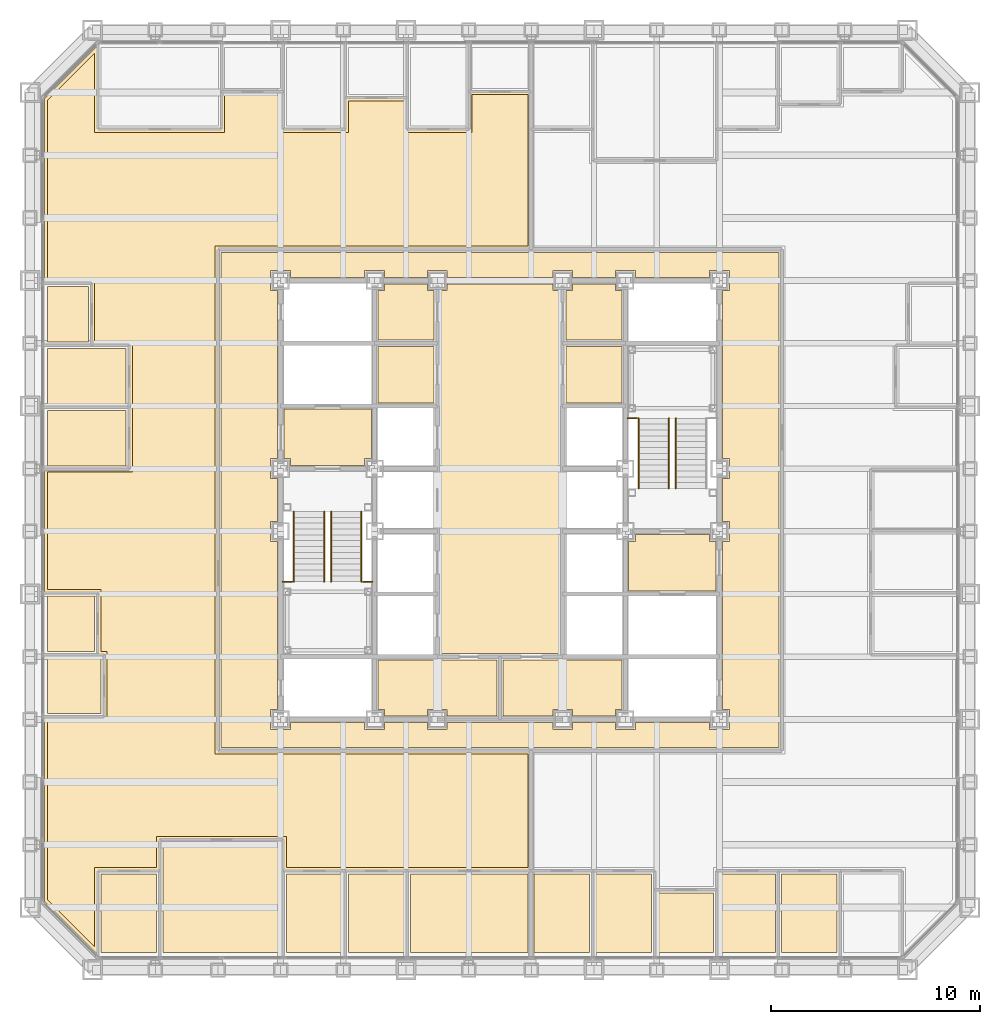
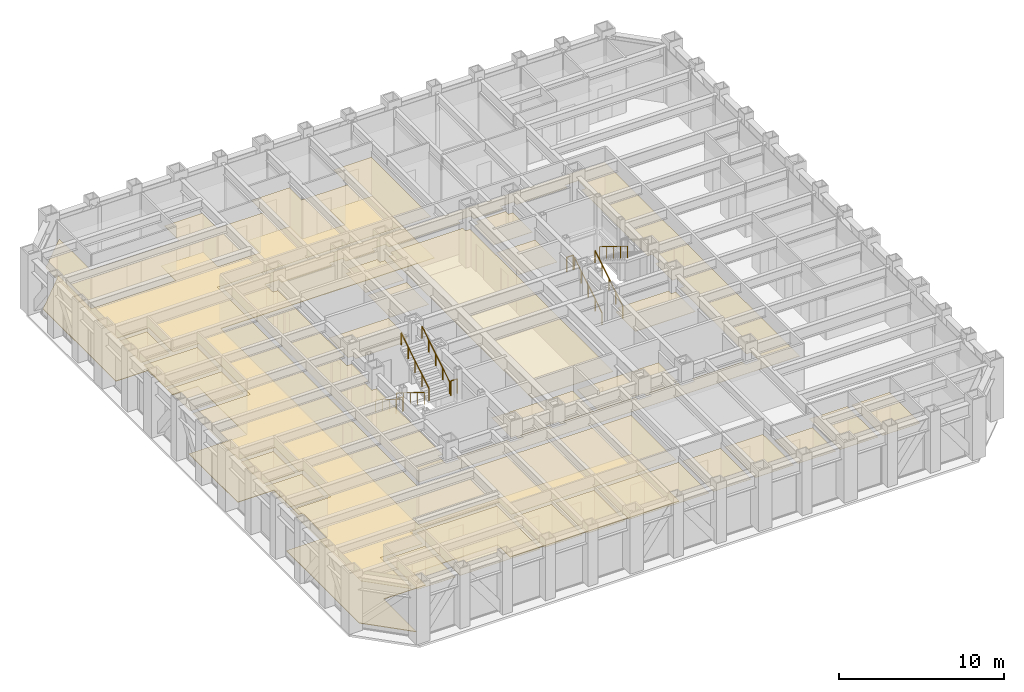
# One storey, part 14 of 16: 27 coverings, 10 railings.
"""IFC4 building model written with IfcOpenShell, lengths in metres."""

from ifc_helpers import new_model, si_unit, direction, frame, origin, origin_2d, place, context, subcontext, project, spatial, polyline, circle, outline, extrude, material, layer, layer_set, type_object, element, save


model = new_model("IFC4")

# Units and contexts
model_context = context("Model", 3, precision=1e-05, world=origin(), true_north=direction((0.0, 1.0)))
body_context = subcontext(model_context, "Body", "Model", "MODEL_VIEW")
ifc_project = project(units=[si_unit("LENGTHUNIT", "METRE"), si_unit("AREAUNIT", "SQUARE_METRE"), si_unit("VOLUMEUNIT", "CUBIC_METRE"), si_unit("PLANEANGLEUNIT", "RADIAN"), si_unit("MASSUNIT", "GRAM", prefix="KILO")], contexts=[model_context])

# Site, building, storey
site_placement = place(None, origin())
site = spatial("IfcSite", under=ifc_project, at=site_placement, CompositionType="ELEMENT")
building_placement = place(site_placement, origin())
building = spatial("IfcBuilding", under=site, at=building_placement, Name="Chuquiago Exchange Tower", CompositionType="ELEMENT")
storey_placement = place(building_placement, frame((0.0, 0.0, 55.800048828125)))
storey = spatial("IfcBuildingStorey", under=building, at=storey_placement, Name="L11", CompositionType="ELEMENT", Elevation=55.800048828125)

# Coverings
ifc_material_1 = material(Name="Mineral fibre tile, 600 x 600, on pale metal grid", Category="mineral fibre")
ifc_layer_1 = layer(ifc_material_1, 0.02001953125)
ifc_layer_set_1 = layer_set([ifc_layer_1], Name="CL1 suspended tile ceiling 20")
covering_type_1 = type_object("IfcCoveringType", Name="CL1 suspended tile ceiling 20", PredefinedType="CEILING", material=ifc_layer_set_1)
covering_1_placement = place(storey_placement, frame((0.0, 0.0, 3.0)))
element("IfcCovering", 1, at=covering_1_placement, inside=storey, type_object=covering_type_1, Name="Ceiling Trading support room", PredefinedType="CEILING", context=body_context, shape_type="SweptSolid", body=[
    extrude(outline(polyline([(3.3984375, 4.60009765625), (6.060302734375, 4.60009765625), (6.060302734375, 0.85009765625), (3.3984375, 0.85009765625), (3.3984375, 4.60009765625)])), origin(), (0.0, 0.0, 1.0), 0.02001953125),
])
covering_2_placement = place(storey_placement, frame((0.0, 0.0, 3.0)))
element("IfcCovering", 2, at=covering_2_placement, inside=storey, type_object=covering_type_1, Name="Ceiling Market data room", PredefinedType="CEILING", context=body_context, shape_type="SweptSolid", body=[
    extrude(outline(polyline([(6.3603515625, 6.10009765625), (11.98388671875, 6.10009765625), (11.98388671875, 0.85009765625), (6.3603515625, 0.85009765625), (6.3603515625, 6.10009765625)])), origin(), (0.0, 0.0, 1.0), 0.02001953125),
])
covering_3_placement = place(storey_placement, frame((0.0, 0.0, 3.0)))
element("IfcCovering", 3, at=covering_3_placement, inside=storey, type_object=covering_type_1, Name="Ceiling Office", PredefinedType="CEILING", context=body_context, shape_type="SweptSolid", body=[
    extrude(outline(polyline([(12.28369140625, 4.60009765625), (14.945556640625, 4.60009765625), (14.945556640625, 0.85009765625), (12.28369140625, 0.85009765625), (12.28369140625, 4.60009765625)])), origin(), (0.0, 0.0, 1.0), 0.02001953125),
])
covering_4_placement = place(storey_placement, frame((0.0, 0.0, 3.0)))
element("IfcCovering", 4, at=covering_4_placement, inside=storey, type_object=covering_type_1, Name="Ceiling Office", PredefinedType="CEILING", context=body_context, shape_type="SweptSolid", body=[
    extrude(outline(polyline([(15.24560546875, 4.60009765625), (17.907470703125, 4.60009765625), (17.907470703125, 0.85009765625), (15.24560546875, 0.85009765625), (15.24560546875, 4.60009765625)])), origin(), (0.0, 0.0, 1.0), 0.02001953125),
])
covering_5_placement = place(storey_placement, frame((0.0, 0.0, 3.0)))
element("IfcCovering", 5, at=covering_5_placement, inside=storey, type_object=covering_type_1, Name="Ceiling Meeting room", PredefinedType="CEILING", context=body_context, shape_type="SweptSolid", body=[
    extrude(outline(polyline([(18.20751953125, 4.60009765625), (23.830810546875, 4.60009765625), (23.830810546875, 0.85009765625), (18.20751953125, 0.85009765625), (18.20751953125, 4.60009765625)])), origin(), (0.0, 0.0, 1.0), 0.02001953125),
])
covering_6_placement = place(storey_placement, frame((0.0, 0.0, 3.0)))
element("IfcCovering", 6, at=covering_6_placement, inside=storey, type_object=covering_type_1, Name="Ceiling Office", PredefinedType="CEILING", context=body_context, shape_type="SweptSolid", body=[
    extrude(outline(polyline([(24.130859375, 4.60009765625), (26.79248046875, 4.60009765625), (26.79248046875, 0.85009765625), (24.130859375, 0.85009765625), (24.130859375, 4.60009765625)])), origin(), (0.0, 0.0, 1.0), 0.02001953125),
])
covering_7_placement = place(storey_placement, frame((0.0, 0.0, 3.0)))
element("IfcCovering", 7, at=covering_7_placement, inside=storey, type_object=covering_type_1, Name="Ceiling Office", PredefinedType="CEILING", context=body_context, shape_type="SweptSolid", body=[
    extrude(outline(polyline([(27.092529296875, 4.60009765625), (29.75439453125, 4.60009765625), (29.75439453125, 0.85009765625), (27.092529296875, 0.85009765625), (27.092529296875, 4.60009765625)])), origin(), (0.0, 0.0, 1.0), 0.02001953125),
])
covering_8_placement = place(storey_placement, frame((0.0, 0.0, 3.0)))
element("IfcCovering", 8, at=covering_8_placement, inside=storey, type_object=covering_type_1, Name="Ceiling Comms room", PredefinedType="CEILING", context=body_context, shape_type="SweptSolid", body=[
    extrude(outline(polyline([(30.054443359375, 3.699951171875), (32.71630859375, 3.699951171875), (32.71630859375, 0.85009765625), (30.054443359375, 0.85009765625), (30.054443359375, 3.699951171875)])), origin(), (0.0, 0.0, 1.0), 0.02001953125),
])
covering_9_placement = place(storey_placement, frame((0.0, 0.0, 3.0)))
element("IfcCovering", 9, at=covering_9_placement, inside=storey, type_object=covering_type_1, Name="Ceiling Trading support room", PredefinedType="CEILING", context=body_context, shape_type="SweptSolid", body=[
    extrude(outline(polyline([(33.01611328125, 4.60009765625), (35.677978515625, 4.60009765625), (35.677978515625, 0.85009765625), (33.01611328125, 0.85009765625), (33.01611328125, 4.60009765625)])), origin(), (0.0, 0.0, 1.0), 0.02001953125),
])
covering_10_placement = place(storey_placement, frame((0.0, 0.0, 3.0)))
element("IfcCovering", 10, at=covering_10_placement, inside=storey, type_object=covering_type_1, Name="Ceiling Trading support room", PredefinedType="CEILING", context=body_context, shape_type="SweptSolid", body=[
    extrude(outline(polyline([(35.977783203125, 4.60009765625), (38.6396484375, 4.60009765625), (38.6396484375, 0.85009765625), (35.977783203125, 0.85009765625), (35.977783203125, 4.60009765625)])), origin(), (0.0, 0.0, 1.0), 0.02001953125),
])
covering_11_placement = place(storey_placement, frame((0.0, 0.0, 3.0)))
element("IfcCovering", 11, at=covering_11_placement, inside=storey, type_object=covering_type_1, Name="Ceiling Pantry", PredefinedType="CEILING", context=body_context, shape_type="SweptSolid", body=[
    extrude(outline(polyline([(3.39990234375, 14.945556640625), (3.39990234375, 12.28369140625), (0.85009765625, 12.28369140625), (0.85009765625, 14.945556640625), (3.39990234375, 14.945556640625)])), origin(), (0.0, 0.0, 1.0), 0.02001953125),
])
covering_12_placement = place(storey_placement, frame((0.0, 0.0, 3.0)))
element("IfcCovering", 12, at=covering_12_placement, inside=storey, type_object=covering_type_1, Name="Ceiling Store", PredefinedType="CEILING", context=body_context, shape_type="SweptSolid", body=[
    extrude(outline(polyline([(3.10009765625, 17.907470703125), (3.10009765625, 15.24560546875), (0.85009765625, 15.24560546875), (0.85009765625, 17.907470703125), (3.10009765625, 17.907470703125)])), origin(), (0.0, 0.0, 1.0), 0.02001953125),
])
covering_13_placement = place(storey_placement, frame((0.0, 0.0, 3.0)))
element("IfcCovering", 13, at=covering_13_placement, inside=storey, type_object=covering_type_1, Name="Ceiling Office", PredefinedType="CEILING", context=body_context, shape_type="SweptSolid", body=[
    extrude(outline(polyline([(4.60009765625, 26.79248046875), (4.60009765625, 24.130859375), (0.85009765625, 24.130859375), (0.85009765625, 26.79248046875), (4.60009765625, 26.79248046875)])), origin(), (0.0, 0.0, 1.0), 0.02001953125),
])
covering_14_placement = place(storey_placement, frame((0.0, 0.0, 3.0)))
element("IfcCovering", 14, at=covering_14_placement, inside=storey, type_object=covering_type_1, Name="Ceiling Office", PredefinedType="CEILING", context=body_context, shape_type="SweptSolid", body=[
    extrude(outline(polyline([(4.60009765625, 29.75439453125), (4.60009765625, 27.092529296875), (0.85009765625, 27.092529296875), (0.85009765625, 29.75439453125), (4.60009765625, 29.75439453125)])), origin(), (0.0, 0.0, 1.0), 0.02001953125),
])
covering_15_placement = place(storey_placement, frame((0.0, 0.0, 3.0)))
element("IfcCovering", 15, at=covering_15_placement, inside=storey, type_object=covering_type_1, Name="Ceiling Focus room", PredefinedType="CEILING", context=body_context, shape_type="SweptSolid", body=[
    extrude(outline(polyline([(2.800048828125, 32.71630859375), (2.800048828125, 30.054443359375), (0.85009765625, 30.054443359375), (0.85009765625, 32.71630859375), (2.800048828125, 32.71630859375)])), origin(), (0.0, 0.0, 1.0), 0.02001953125),
])
covering_16_placement = place(storey_placement, frame((0.0, 0.0, 3.0)))
element("IfcCovering", 16, at=covering_16_placement, inside=storey, type_object=covering_type_1, Name="Ceiling Trading floor west suite", PredefinedType="CEILING", context=body_context, shape_type="SweptSolid", body=[
    extrude(outline(polyline([(3.098388671875, 40.10009765625), (9.322021484375, 40.10009765625), (9.322021484375, 41.89990234375), (11.98388671875, 41.89990234375), (11.98388671875, 40.10009765625), (15.24560546875, 40.10009765625), (15.24560546875, 41.60009765625), (17.907470703125, 41.60009765625), (17.907470703125, 40.10009765625), (21.169189453125, 40.10009765625), (21.169189453125, 41.89990234375), (23.830322265625, 41.89990234375), (23.830322265625, 34.650390625), (8.849609375, 34.64990234375), (8.849609375, 10.349853515625), (23.830322265625, 10.349609375), (23.830322265625, 4.89990234375), (12.28369140625, 4.89990234375), (12.28369140625, 6.39990234375), (6.060302734375, 6.39990234375), (6.060302734375, 4.89990234375), (3.098388671875, 4.89990234375), (3.098388671875, 1.103515625), (0.85009765625, 3.35205078125), (0.85009765625, 11.98388671875), (3.699951171875, 11.98388671875), (3.699951171875, 15.24560546875), (3.39990234375, 15.24560546875), (3.39990234375, 18.20751953125), (0.85009765625, 18.20751953125), (0.85009765625, 23.830810546875), (4.89990234375, 23.830810546875), (4.89990234375, 30.054443359375), (3.10009765625, 30.054443359375), (3.10009765625, 33.01611328125), (0.85009765625, 33.01611328125), (0.85009765625, 41.64794921875), (3.098388671875, 43.896484375), (3.098388671875, 40.10009765625)])), origin(), (0.0, 0.0, 1.0), 0.02001953125),
])
covering_17_placement = place(storey_placement, frame((0.0, 0.0, 3.0)))
element("IfcCovering", 17, at=covering_17_placement, inside=storey, type_object=covering_type_1, Name="Ceiling Tenant corridor", PredefinedType="CEILING", context=body_context, shape_type="SweptSolid", body=[
    extrude(outline(polyline([(9.14990234375, 34.35009765625), (35.85009765625, 34.35009765625), (35.85009765625, 10.64990234375), (9.14990234375, 10.64990234375), (9.14990234375, 34.35009765625)]), holes=[polyline([(11.85009765625, 24.47509765625), (11.52490234375, 24.47509765625), (11.52490234375, 23.52490234375), (11.85009765625, 23.52490234375), (11.85009765625, 21.47509765625), (11.52490234375, 21.47509765625), (11.52490234375, 20.52490234375), (11.85009765625, 20.52490234375), (11.85009765625, 12.47509765625), (11.52490234375, 12.47509765625), (11.52490234375, 11.52490234375), (12.47509765625, 11.52490234375), (12.47509765625, 11.85009765625), (16.02490234375, 11.85009765625), (16.02490234375, 11.52490234375), (16.97509765625, 11.52490234375), (16.97509765625, 11.85009765625), (19.02490234375, 11.85009765625), (19.02490234375, 11.52490234375), (19.97509765625, 11.52490234375), (19.97509765625, 11.85009765625), (25.02490234375, 11.85009765625), (25.02490234375, 11.52490234375), (25.97509765625, 11.52490234375), (25.97509765625, 11.85009765625), (28.02490234375, 11.85009765625), (28.02490234375, 11.52490234375), (28.97509765625, 11.52490234375), (28.97509765625, 11.85009765625), (32.52490234375, 11.85009765625), (32.52490234375, 11.52490234375), (33.47509765625, 11.52490234375), (33.47509765625, 12.47509765625), (33.14990234375, 12.47509765625), (33.14990234375, 20.52490234375), (33.47509765625, 20.52490234375), (33.47509765625, 21.47509765625), (33.14990234375, 21.47509765625), (33.14990234375, 23.52490234375), (33.47509765625, 23.52490234375), (33.47509765625, 24.47509765625), (33.14990234375, 24.47509765625), (33.14990234375, 32.52490234375), (33.47509765625, 32.52490234375), (33.47509765625, 33.47509765625), (32.52490234375, 33.47509765625), (32.52490234375, 33.14990234375), (28.97509765625, 33.14990234375), (28.97509765625, 33.47509765625), (28.02490234375, 33.47509765625), (28.02490234375, 33.14990234375), (25.97509765625, 33.14990234375), (25.97509765625, 33.47509765625), (25.02490234375, 33.47509765625), (25.02490234375, 33.14990234375), (19.97509765625, 33.14990234375), (19.97509765625, 33.47509765625), (19.02490234375, 33.47509765625), (19.02490234375, 33.14990234375), (16.97509765625, 33.14990234375), (16.97509765625, 33.47509765625), (16.02490234375, 33.47509765625), (16.02490234375, 33.14990234375), (12.47509765625, 33.14990234375), (12.47509765625, 33.47509765625), (11.52490234375, 33.47509765625), (11.52490234375, 32.52490234375), (11.85009765625, 32.52490234375), (11.85009765625, 24.47509765625)])]), origin(), (0.0, 0.0, 1.0), 0.02001953125),
])
covering_18_placement = place(storey_placement, frame((0.0, 0.0, 3.0)))
element("IfcCovering", 18, at=covering_18_placement, inside=storey, type_object=covering_type_1, Name="Ceiling Baby change room", PredefinedType="CEILING", context=body_context, shape_type="SweptSolid", body=[
    extrude(outline(polyline([(25.64990234375, 30.14990234375), (25.64990234375, 32.52490234375), (25.97509765625, 32.52490234375), (25.97509765625, 32.85009765625), (28.02490234375, 32.85009765625), (28.02490234375, 32.52490234375), (28.35009765625, 32.52490234375), (28.35009765625, 30.14990234375), (25.64990234375, 30.14990234375)])), origin(), (0.0, 0.0, 1.0), 0.02001953125),
])
ifc_material_2 = material(Name="Moisture resistant plasterboard on metal frame", Category="gypsum")
ifc_layer_2 = layer(ifc_material_2, 0.014892578125)
ifc_layer_set_2 = layer_set([ifc_layer_2], Name="CL2 moisture resistant ceiling 15")
covering_type_2 = type_object("IfcCoveringType", Name="CL2 moisture resistant ceiling 15", PredefinedType="CEILING", material=ifc_layer_set_2)
covering_19_placement = place(storey_placement, frame((0.0, 0.0, 2.599853515625)))
element("IfcCovering", 19, at=covering_19_placement, inside=storey, type_object=covering_type_2, Name="Ceiling Male WC", PredefinedType="CEILING", context=body_context, shape_type="SweptSolid", body=[
    extrude(outline(polyline([(16.64990234375, 27.14990234375), (16.64990234375, 29.85009765625), (19.35009765625, 29.85009765625), (19.35009765625, 27.14990234375), (16.64990234375, 27.14990234375)])), origin(), (0.0, 0.0, 1.0), 0.01513671875),
])
covering_20_placement = place(storey_placement, frame((0.0, 0.0, 2.599853515625)))
element("IfcCovering", 20, at=covering_20_placement, inside=storey, type_object=covering_type_2, Name="Ceiling Staff shower room", PredefinedType="CEILING", context=body_context, shape_type="SweptSolid", body=[
    extrude(outline(polyline([(16.64990234375, 30.14990234375), (16.64990234375, 32.52490234375), (16.97509765625, 32.52490234375), (16.97509765625, 32.85009765625), (19.02490234375, 32.85009765625), (19.02490234375, 32.52490234375), (19.35009765625, 32.52490234375), (19.35009765625, 30.14990234375), (16.64990234375, 30.14990234375)])), origin(), (0.0, 0.0, 1.0), 0.01513671875),
])
covering_21_placement = place(storey_placement, frame((0.0, 0.0, 2.599853515625)))
element("IfcCovering", 21, at=covering_21_placement, inside=storey, type_object=covering_type_2, Name="Ceiling Female WC", PredefinedType="CEILING", context=body_context, shape_type="SweptSolid", body=[
    extrude(outline(polyline([(25.64990234375, 27.14990234375), (25.64990234375, 29.85009765625), (28.35009765625, 29.85009765625), (28.35009765625, 27.14990234375), (25.64990234375, 27.14990234375)])), origin(), (0.0, 0.0, 1.0), 0.01513671875),
])
covering_22_placement = place(storey_placement, frame((0.0, 0.0, 2.599853515625)))
element("IfcCovering", 22, at=covering_22_placement, inside=storey, type_object=covering_type_2, Name="Ceiling Accessible WC", PredefinedType="CEILING", context=body_context, shape_type="SweptSolid", body=[
    extrude(outline(polyline([(25.97509765625, 12.14990234375), (25.97509765625, 12.47509765625), (25.02490234375, 12.47509765625), (25.02490234375, 12.14990234375), (22.64990234375, 12.14990234375), (22.64990234375, 14.85009765625), (28.35009765625, 14.85009765625), (28.35009765625, 12.47509765625), (28.02490234375, 12.47509765625), (28.02490234375, 12.14990234375), (25.97509765625, 12.14990234375)])), origin(), (0.0, 0.0, 1.0), 0.01513671875),
])
covering_23_placement = place(storey_placement, frame((0.0, 0.0, 2.599853515625)))
element("IfcCovering", 23, at=covering_23_placement, inside=storey, type_object=covering_type_2, Name="Ceiling Cleaner", PredefinedType="CEILING", context=body_context, shape_type="SweptSolid", body=[
    extrude(outline(polyline([(19.97509765625, 12.14990234375), (19.97509765625, 12.47509765625), (19.02490234375, 12.47509765625), (19.02490234375, 12.14990234375), (16.97509765625, 12.14990234375), (16.97509765625, 12.47509765625), (16.64990234375, 12.47509765625), (16.64990234375, 14.85009765625), (22.35009765625, 14.85009765625), (22.35009765625, 12.14990234375), (19.97509765625, 12.14990234375)])), origin(), (0.0, 0.0, 1.0), 0.01513671875),
])
ifc_material_3 = material(Name="Pale metal plank ceiling, perforated", Category="aluminium")
ifc_layer_3 = layer(ifc_material_3, 0.030029296875)
ifc_layer_set_3 = layer_set([ifc_layer_3], Name="CL3 metal plank ceiling 30")
covering_type_3 = type_object("IfcCoveringType", Name="CL3 metal plank ceiling 30", PredefinedType="CEILING", material=ifc_layer_set_3)
covering_24_placement = place(storey_placement, frame((0.0, 0.0, 2.800048828125)))
element("IfcCovering", 24, at=covering_24_placement, inside=storey, type_object=covering_type_3, Name="Ceiling Lift lobby", PredefinedType="CEILING", context=body_context, shape_type="SweptSolid", body=[
    extrude(outline(polyline([(19.64990234375, 15.14990234375), (19.64990234375, 32.52490234375), (19.97509765625, 32.52490234375), (19.97509765625, 32.85009765625), (25.02490234375, 32.85009765625), (25.02490234375, 32.52490234375), (25.35009765625, 32.52490234375), (25.35009765625, 15.14990234375), (19.64990234375, 15.14990234375)])), origin(), (0.0, 0.0, 1.0), 0.02978515625),
])
covering_25_placement = place(storey_placement, frame((0.0, 0.0, 2.800048828125)))
element("IfcCovering", 25, at=covering_25_placement, inside=storey, type_object=covering_type_3, Name="Ceiling Firefighting lobby", PredefinedType="CEILING", context=body_context, shape_type="SweptSolid", body=[
    extrude(outline(polyline([(12.47509765625, 24.14990234375), (12.47509765625, 24.47509765625), (12.14990234375, 24.47509765625), (12.14990234375, 26.85009765625), (16.35009765625, 26.85009765625), (16.35009765625, 24.47509765625), (16.02490234375, 24.47509765625), (16.02490234375, 24.14990234375), (12.47509765625, 24.14990234375)])), origin(), (0.0, 0.0, 1.0), 0.02978515625),
])
covering_26_placement = place(storey_placement, frame((0.0, 0.0, 2.800048828125)))
element("IfcCovering", 26, at=covering_26_placement, inside=storey, type_object=covering_type_3, Name="Ceiling Firefighting lobby", PredefinedType="CEILING", context=body_context, shape_type="SweptSolid", body=[
    extrude(outline(polyline([(28.64990234375, 18.14990234375), (28.64990234375, 20.52490234375), (28.97509765625, 20.52490234375), (28.97509765625, 20.85009765625), (32.52490234375, 20.85009765625), (32.52490234375, 20.52490234375), (32.85009765625, 20.52490234375), (32.85009765625, 18.14990234375), (28.64990234375, 18.14990234375)])), origin(), (0.0, 0.0, 1.0), 0.02978515625),
])

# Railings
ifc_material_4 = material(Name="Pale metal guard with safety glass infill", Category="glass")
railing_type_1 = type_object("IfcRailingType", Name="GR1 guard 1100", PredefinedType="GUARDRAIL", material=ifc_material_4)
for number, where, name in (
    (27, (12.10009765625, 18.590087890625, 2.25), "Guard ST1 L11 landing 2"),
    (28, (15.945068359375, 18.590087890625, 2.25), "Guard ST1 L11 landing 2"),
    (29, (28.60009765625, 26.409912109375, 2.25), "Guard ST2 L11 landing 2"),
):
    element("IfcRailing", number, at=place(storey_placement, frame(where)), inside=storey, type_object=railing_type_1, Name=name, PredefinedType="GUARDRAIL", context=body_context, shape_type="SweptSolid", body=[
        extrude(circle(Radius=0.02392578125, at=origin_2d()), frame((0.0, 0.0, 1.076171875), z_axis=(1.0, 0.0, 0.0), x_axis=(0.0, 1.0, 0.0)), (0.0, 0.0, 1.0), 0.454833984375),
        extrude(circle(Radius=0.02099609375, at=origin_2d()), origin(), (0.0, 0.0, 1.0), 1.052001953125),
        extrude(circle(Radius=0.02099609375, at=origin_2d()), frame((0.454833984375, 0.0, 0.0)), (0.0, 0.0, 1.0), 1.052001953125),
    ])
ifc_material_5 = material(Name="Pale metal handrail", Category="steel")
railing_type_2 = type_object("IfcRailingType", Name="HR1 handrail 900", PredefinedType="HANDRAIL", material=ifc_material_5)
for number, where, name in (
    (30, (12.635009765625, 21.949951171875, 0.173095703125), "Handrail ST1 L11 flight 1"),
    (31, (14.0849609375, 21.949951171875, 0.173095703125), "Handrail ST1 L11 flight 1"),
):
    element("IfcRailing", number, at=place(storey_placement, frame(where)), inside=storey, type_object=railing_type_2, Name=name, PredefinedType="HANDRAIL", context=body_context, shape_type="SweptSolid", body=[
        extrude(circle(Radius=0.02392578125, at=origin_2d()), frame((0.0, 0.0, 0.8759765625), z_axis=(0.0, -0.850606129759, 0.525803396734), x_axis=(1.0, 0.0, 0.0)), (0.0, 0.0, 1.0), 3.949951171875),
        extrude(circle(Radius=0.02099609375, at=origin_2d()), origin(), (0.0, 0.0, 1.0), 0.851806640625),
        extrude(circle(Radius=0.02099609375, at=origin_2d()), frame((0.0, -0.83984375, 0.519287109375)), (0.0, 0.0, 1.0), 0.851806640625),
        extrude(circle(Radius=0.02099609375, at=origin_2d()), frame((0.0, -1.679931640625, 1.03857421875)), (0.0, 0.0, 1.0), 0.851806640625),
        extrude(circle(Radius=0.02099609375, at=origin_2d()), frame((0.0, -2.52001953125, 1.5576171875)), (0.0, 0.0, 1.0), 0.851806640625),
        extrude(circle(Radius=0.02099609375, at=origin_2d()), frame((0.0, -3.35986328125, 2.076904296875)), (0.0, 0.0, 1.0), 0.851806640625),
    ])
for number, where, name in (
    (32, (15.864990234375, 18.590087890625, 2.423095703125), "Handrail ST1 L11 flight 2"),
    (33, (14.4150390625, 18.590087890625, 2.423095703125), "Handrail ST1 L11 flight 2"),
    (34, (30.5849609375, 23.050048828125, 0.173095703125), "Handrail ST2 L11 flight 1"),
    (35, (29.135009765625, 23.050048828125, 0.173095703125), "Handrail ST2 L11 flight 1"),
):
    element("IfcRailing", number, at=place(storey_placement, frame(where)), inside=storey, type_object=railing_type_2, Name=name, PredefinedType="HANDRAIL", context=body_context, shape_type="SweptSolid", body=[
        extrude(circle(Radius=0.02392578125, at=origin_2d()), frame((0.0, 0.0, 0.8759765625), z_axis=(0.0, 0.850606129759, 0.525803396734), x_axis=(-1.0, 0.0, 0.0)), (0.0, 0.0, 1.0), 3.949951171875),
        extrude(circle(Radius=0.02099609375, at=origin_2d()), origin(), (0.0, 0.0, 1.0), 0.851806640625),
        extrude(circle(Radius=0.02099609375, at=origin_2d()), frame((0.0, 0.83984375, 0.519287109375)), (0.0, 0.0, 1.0), 0.851806640625),
        extrude(circle(Radius=0.02099609375, at=origin_2d()), frame((0.0, 1.679931640625, 1.03857421875)), (0.0, 0.0, 1.0), 0.851806640625),
        extrude(circle(Radius=0.02099609375, at=origin_2d()), frame((0.0, 2.52001953125, 1.5576171875)), (0.0, 0.0, 1.0), 0.851806640625),
        extrude(circle(Radius=0.02099609375, at=origin_2d()), frame((0.0, 3.35986328125, 2.076904296875)), (0.0, 0.0, 1.0), 0.851806640625),
    ])
railing_placement = place(storey_placement, frame((30.9150390625, 26.409912109375, 2.423095703125)))
element("IfcRailing", 36, at=railing_placement, inside=storey, type_object=railing_type_2, Name="Handrail ST2 L11 flight 2", PredefinedType="HANDRAIL", context=body_context, shape_type="SweptSolid", body=[
    extrude(circle(Radius=0.02392578125, at=origin_2d()), frame((0.0, 0.0, 0.8759765625), z_axis=(0.0, -0.850606129759, 0.525803396734), x_axis=(1.0, 0.0, 0.0)), (0.0, 0.0, 1.0), 3.949951171875),
    extrude(circle(Radius=0.02099609375, at=origin_2d()), origin(), (0.0, 0.0, 1.0), 0.851806640625),
    extrude(circle(Radius=0.02099609375, at=origin_2d()), frame((0.0, -0.83984375, 0.519287109375)), (0.0, 0.0, 1.0), 0.851806640625),
    extrude(circle(Radius=0.02099609375, at=origin_2d()), frame((0.0, -1.679931640625, 1.03857421875)), (0.0, 0.0, 1.0), 0.851806640625),
    extrude(circle(Radius=0.02099609375, at=origin_2d()), frame((0.0, -2.52001953125, 1.5576171875)), (0.0, 0.0, 1.0), 0.851806640625),
    extrude(circle(Radius=0.02099609375, at=origin_2d()), frame((0.0, -3.35986328125, 2.076904296875)), (0.0, 0.0, 1.0), 0.851806640625),
])

# Covering
ifc_material_6 = material(Name="Steel raised floor panel", Category="steel")
ifc_layer_4 = layer(ifc_material_6, 0.0400390625)
ifc_layer_set_4 = layer_set([ifc_layer_4], Name="RF1 raised access floor 40")
covering_type_4 = type_object("IfcCoveringType", Name="RF1 raised access floor 40", PredefinedType="FLOORING", material=ifc_layer_set_4)
covering_27_placement = place(storey_placement, frame((0.0, 0.0, -0.0400390625)))
element("IfcCovering", 37, at=covering_27_placement, inside=storey, type_object=covering_type_4, Name="Raised access floor Trading floor west suite", PredefinedType="FLOORING", context=body_context, shape_type="SweptSolid", body=[
    extrude(outline(polyline([(3.550048828125, 15.095703125), (3.25, 15.095703125), (3.25, 18.057373046875), (0.699951171875, 18.057373046875), (0.699951171875, 23.98095703125), (4.75, 23.98095703125), (4.75, 29.904296875), (2.949951171875, 29.904296875), (2.949951171875, 32.8662109375), (0.699951171875, 32.8662109375), (0.699951171875, 41.710205078125), (3.289794921875, 44.300048828125), (3.24853515625, 44.258544921875), (3.24853515625, 40.25), (9.172119140625, 40.25), (9.172119140625, 42.050048828125), (12.1337890625, 42.050048828125), (12.1337890625, 40.25), (15.095703125, 40.25), (15.095703125, 41.75), (18.057373046875, 41.75), (18.057373046875, 40.25), (21.01904296875, 40.25), (21.01904296875, 42.050048828125), (23.98046875, 42.050048828125), (23.98046875, 34.50048828125), (8.99951171875, 34.5), (8.99951171875, 10.499755859375), (23.98046875, 10.49951171875), (23.98046875, 4.75), (12.1337890625, 4.75), (12.1337890625, 6.25), (6.210205078125, 6.25), (6.210205078125, 4.75), (3.24853515625, 4.75), (3.24853515625, 0.741455078125), (0.699951171875, 3.289794921875), (0.699951171875, 12.1337890625), (3.550048828125, 12.1337890625), (3.550048828125, 15.095703125)])), origin(), (0.0, 0.0, 1.0), 0.0400390625),
])

save(model, "model.ifc")
